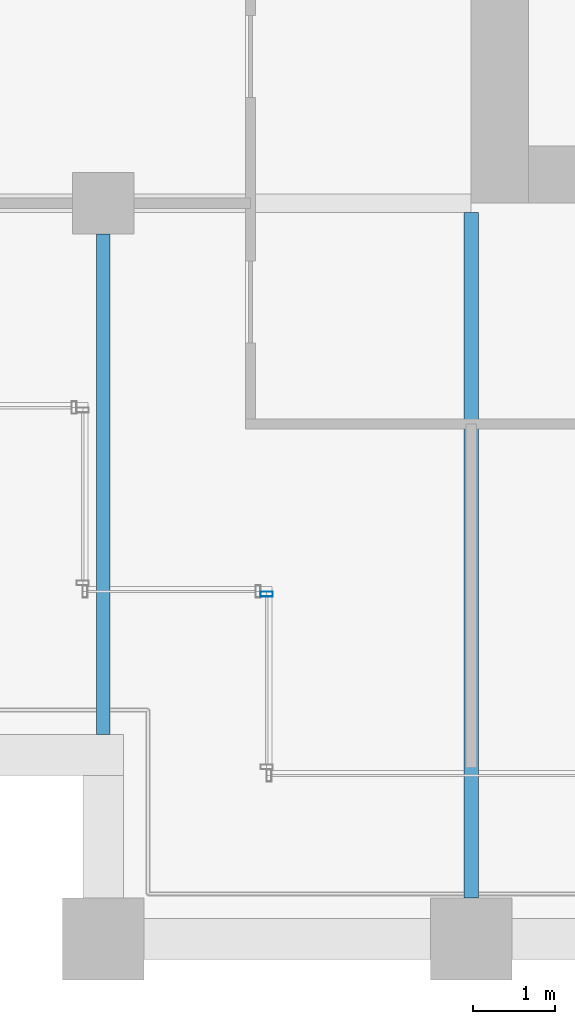
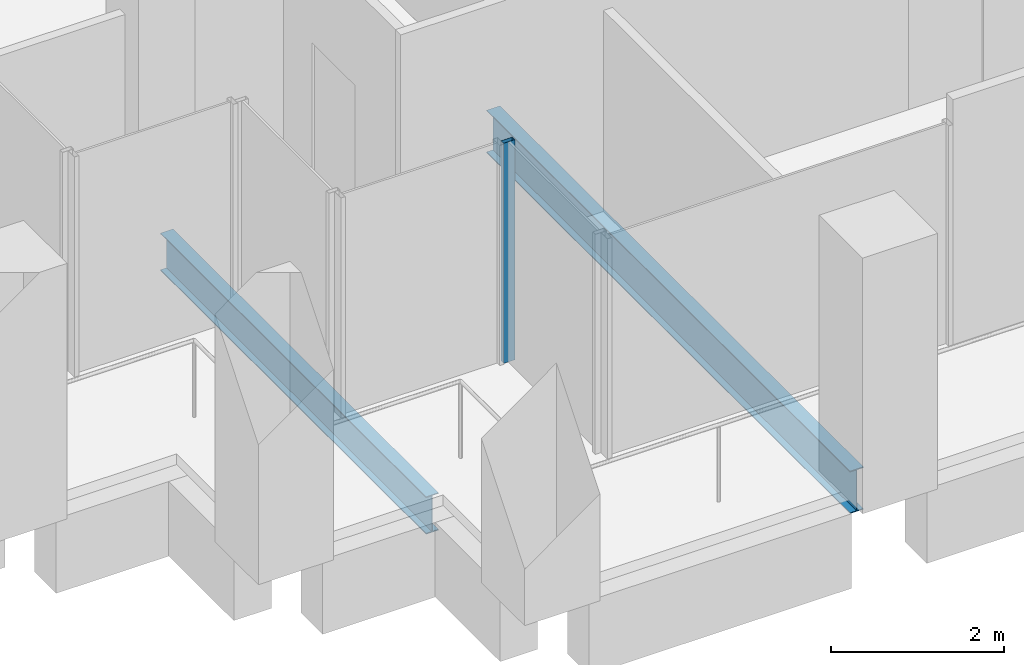
# One storey, part 29 of 47: 2 beams, 1 member, 1 element without a shape of its own.
"""IFC4 building model written with IfcOpenShell, lengths in metres."""

from ifc_helpers import new_model, si_unit, direction, frame, origin, origin_2d, place, context, subcontext, project, spatial, hollow_rectangle, i_section, extrude, material, material_profile, profile_set, type_object, element, aggregate, save


model = new_model("IFC4")

# Units and contexts
model_context = context("Model", 3, precision=1e-05, world=origin(), true_north=direction((0.0, 1.0)))
body_context = subcontext(model_context, "Body", "Model", "MODEL_VIEW")
ifc_project = project(units=[si_unit("LENGTHUNIT", "METRE"), si_unit("AREAUNIT", "SQUARE_METRE"), si_unit("VOLUMEUNIT", "CUBIC_METRE"), si_unit("PLANEANGLEUNIT", "RADIAN"), si_unit("MASSUNIT", "GRAM", prefix="KILO")], contexts=[model_context])

# Site, building, storey
site_placement = place(None, origin())
site = spatial("IfcSite", under=ifc_project, at=site_placement, CompositionType="ELEMENT")
building_placement = place(site_placement, origin())
building = spatial("IfcBuilding", under=site, at=building_placement, Name="Altepetl Exchange Towers", CompositionType="ELEMENT")
storey_placement = place(building_placement, frame((0.0, 0.0, 95.60009765625)))
storey = spatial("IfcBuildingStorey", under=building, at=storey_placement, Name="L23", CompositionType="ELEMENT", Elevation=95.60009765625)

# Beams
ifc_material_1 = material(Name="Steel S355", Category="steel")
ifc_material_profile_1 = material_profile(ifc_material_1, i_section(OverallWidth=0.166015625, OverallDepth=0.529052734375, WebThickness=0.009765625, FlangeThickness=0.013671875, at=origin_2d()), Name="W21X50")
ifc_profile_set_1 = profile_set([ifc_material_profile_1], Name="Steel S355")
beam_type_1 = type_object("IfcBeamType", Name="Floor beam W21X50", PredefinedType="BEAM", material=ifc_profile_set_1)
beam_1_placement = place(storey_placement, frame((99.0, 29.5, -0.41455078125), z_axis=(0.0, 1.0, 0.0), x_axis=(-1.0, 0.0, 0.0)))
element("IfcBeam", 1, at=beam_1_placement, inside=storey, type_object=beam_type_1, Name="bm:B:L23:004", PredefinedType="BEAM", context=body_context, shape_type="SweptSolid", body=[
    extrude(i_section(OverallWidth=0.166015625, OverallDepth=0.529052734375, WebThickness=0.009765625, FlangeThickness=0.013671875, at=origin_2d()), origin(), (0.0, 0.0, 1.0), 6.125),
])
ifc_material_profile_2 = material_profile(ifc_material_1, i_section(OverallWidth=0.177978515625, OverallDepth=0.59912109375, WebThickness=0.010009765625, FlangeThickness=0.0126953125, at=origin_2d()), Name="W24X55")
ifc_profile_set_2 = profile_set([ifc_material_profile_2], Name="Steel S355")
beam_type_2 = type_object("IfcBeamType", Name="Floor beam W24X55", PredefinedType="BEAM", material=ifc_profile_set_2)
beam_2_placement = place(storey_placement, frame((103.5, 27.5, -0.44970703125), z_axis=(0.0, 1.0, 0.0), x_axis=(-1.0, 0.0, 0.0)))
element("IfcBeam", 2, at=beam_2_placement, inside=storey, type_object=beam_type_2, Name="bm:B:L23:005", PredefinedType="BEAM", context=body_context, shape_type="SweptSolid", body=[
    extrude(i_section(OverallWidth=0.177978515625, OverallDepth=0.59912109375, WebThickness=0.010009765625, FlangeThickness=0.0126953125, at=origin_2d()), origin(), (0.0, 0.0, 1.0), 8.385986328125),
])

# Curtain wall, member
ifc_material_2 = material(Name="Aluminium 6063-T6 glazing", Category="aluminium")
curtain_wall_type = type_object("IfcCurtainWallType", Name="Loggia glazing system", PredefinedType="NOTDEFINED", material=ifc_material_2)
curtain_wall_placement = place(storey_placement, origin())
curtain_wall = element("IfcCurtainWall", 3, at=curtain_wall_placement, inside=storey, type_object=curtain_wall_type, Name="CW1 run", PredefinedType="NOTDEFINED")
ifc_material_3 = material(Name="Aluminium 6063-T6", Category="aluminium")
ifc_material_profile_3 = material_profile(ifc_material_3, hollow_rectangle(XDim=0.06005859375, YDim=0.14990234375, WallThickness=0.0029296875, at=origin_2d()), Name="Mullion 60x150 aluminium")
ifc_profile_set_3 = profile_set([ifc_material_profile_3], Name="Aluminium 6063-T6")
member_type = type_object("IfcMemberType", Name="Mullion 60x150 aluminium", PredefinedType="MULLION", material=ifc_profile_set_3)
member_placement = place(storey_placement, frame((101.0, 31.219970703125, 0.0), z_axis=(0.0, 0.0, 1.0), x_axis=(0.0, -1.0, 0.0)))
member = element("IfcMember", 4, at=member_placement, type_object=member_type, Name="MU1 mullion", PredefinedType="MULLION", context=body_context, shape_type="SweptSolid", body=[
    extrude(hollow_rectangle(XDim=0.06005859375, YDim=0.14990234375, WallThickness=0.0029296875, at=origin_2d()), origin(), (0.0, 0.0, 1.0), 3.099853515625),
])
aggregate(curtain_wall, [member])

save(model, "model.ifc")
